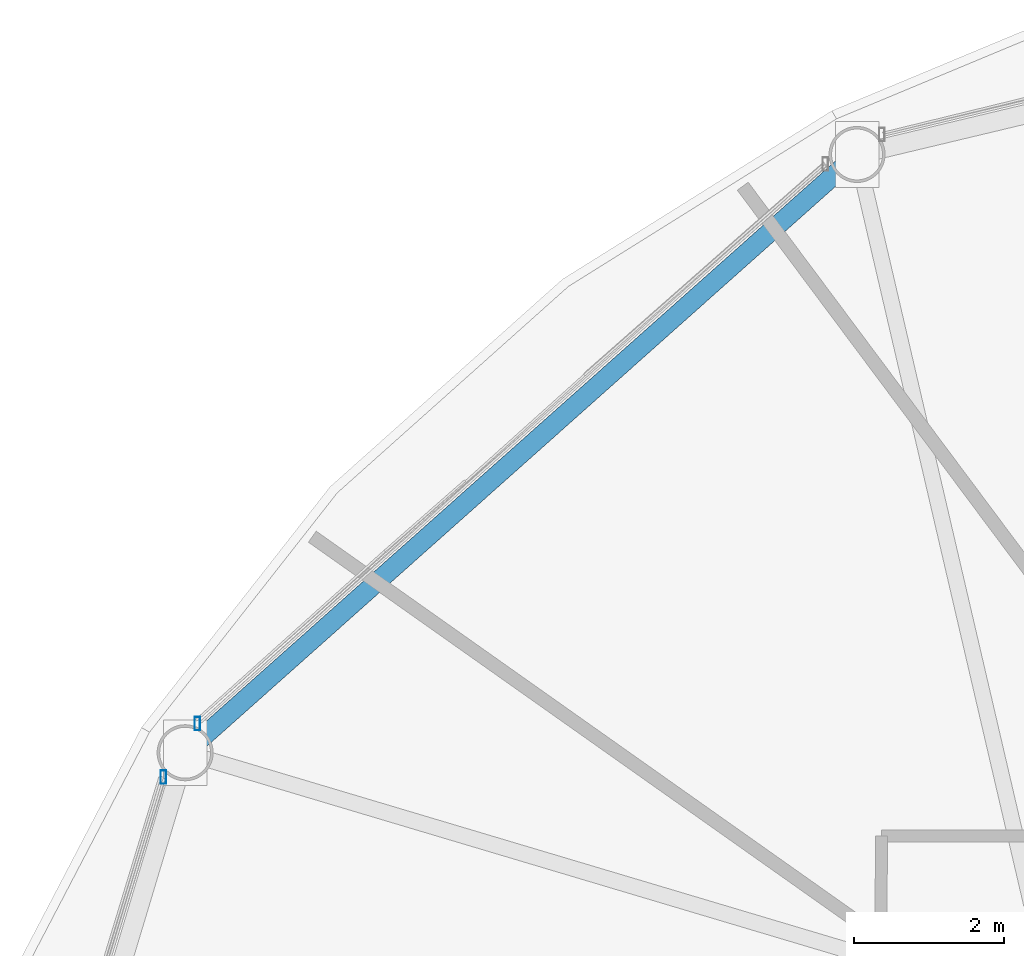
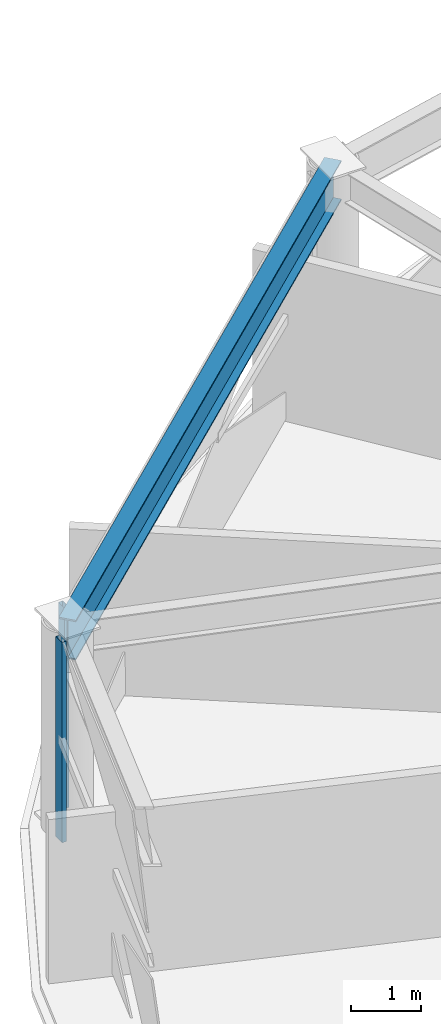
# One storey, part 14 of 29: 2 members, 1 beam, 2 elements without a shape of their own.
"""IFC4 building model written with IfcOpenShell, lengths in metres."""

import ifcopenshell
import ifcopenshell.guid

model = None  # the IFC model being written
_history = None  # IfcOwnerHistory: only IFC2X3 demands one
_inside = {}  # id of a spatial element -> (the spatial element, [elements in it])
_under = {}  # id of a project, library or spatial element -> (it, [spatial elements below it])
_declared = {}  # id of a project -> (the project, [libraries it declares])
_typed = {}  # id of a type object -> (the type object, [elements of that type])
_made_of = {}  # id of a material, layer set ... -> (it, [elements and type objects made of it])


def new_model(schema):
    """Start an empty IFC model of exactly this schema.

    Asked for "IFC4X3", IfcOpenShell would pick the latest addendum, in which some entities
    have other attributes; the version numbers below select the first issue.
    IFC2X3 requires an IfcOwnerHistory on every rooted entity: one is made here for all.
    """
    global model, _history
    if schema == "IFC4X3":
        model = ifcopenshell.file(schema_version=(4, 3, 0, 0))
    else:
        model = ifcopenshell.file(schema=schema)
    _inside.clear()
    _under.clear()
    _declared.clear()
    _typed.clear()
    _made_of.clear()
    _history = None
    if model.schema == "IFC2X3":
        org = make("IfcOrganization", Name="unknown")
        user = make(
            "IfcPersonAndOrganization",
            ThePerson=make("IfcPerson", FamilyName="unknown"),
            TheOrganization=org,
        )
        app = make(
            "IfcApplication",
            ApplicationDeveloper=org,
            Version="unknown",
            ApplicationFullName="unknown",
            ApplicationIdentifier="unknown",
        )
        _history = make(
            "IfcOwnerHistory",
            OwningUser=user,
            OwningApplication=app,
            ChangeAction="ADDED",
            CreationDate=0,
        )
    return model


def make(cls, **values):
    """One entity of the class cls with the attributes given. An attribute that is None is left unset."""
    return model.create_entity(
        cls, **{name: value for name, value in values.items() if value is not None}
    )


def rooted(cls, **values):
    """An entity with a GlobalId (a new one), such as an element, a storey or a relation."""
    return make(cls, GlobalId=ifcopenshell.guid.new(), OwnerHistory=_history, **values)


def si_unit(unit_type, name, prefix=None):
    """IfcSIUnit, for example si_unit("LENGTHUNIT", "METRE", prefix="MILLI")."""
    return make("IfcSIUnit", UnitType=unit_type, Prefix=prefix, Name=name)


def assignment(units):
    """IfcUnitAssignment: the units of a project."""
    return None if units is None else make("IfcUnitAssignment", Units=units)


def point(xyz):
    """IfcCartesianPoint."""
    return None if xyz is None else make("IfcCartesianPoint", Coordinates=xyz)


def direction(xyz):
    """IfcDirection."""
    return None if xyz is None else make("IfcDirection", DirectionRatios=xyz)


def frame(location, z_axis=None, x_axis=None):
    """IfcAxis2Placement3D, a coordinate frame: its origin and axes. An axis left out is left unset."""
    return make(
        "IfcAxis2Placement3D",
        Location=point(location),
        Axis=direction(z_axis),
        RefDirection=direction(x_axis),
    )


def frame_2d(location, x_axis=None):
    """IfcAxis2Placement2D, a coordinate frame in the plane: its origin and x axis."""
    return make(
        "IfcAxis2Placement2D", Location=point(location), RefDirection=direction(x_axis)
    )


def origin():
    """The frame at (0, 0, 0) with its axes left unset."""
    return frame((0.0, 0.0, 0.0))


def origin_2d():
    """The frame at (0, 0) in the plane with its x axis left unset."""
    return frame_2d((0.0, 0.0))


def place(relative_to, where):
    """IfcLocalPlacement: puts the frame where relative to a parent placement (None: the world)."""
    return make(
        "IfcLocalPlacement", PlacementRelTo=relative_to, RelativePlacement=where
    )


def context(
    kind, dimensions, precision=None, world=None, true_north=None, identifier=None
):
    """IfcGeometricRepresentationContext, for example the 3D "Model" context."""
    return make(
        "IfcGeometricRepresentationContext",
        ContextIdentifier=identifier,
        ContextType=kind,
        CoordinateSpaceDimension=dimensions,
        Precision=precision,
        WorldCoordinateSystem=world,
        TrueNorth=true_north,
    )


def subcontext(parent, identifier, kind, view, scale=None):
    """IfcGeometricRepresentationSubContext, for example "Body" below "Model"."""
    return make(
        "IfcGeometricRepresentationSubContext",
        ContextIdentifier=identifier,
        ContextType=kind,
        ParentContext=parent,
        TargetScale=scale,
        TargetView=view,
    )


def project(units=None, contexts=None):
    """IfcProject with its units and contexts."""
    return rooted(
        "IfcProject",
        Name="project",
        RepresentationContexts=contexts,
        UnitsInContext=assignment(units),
    )


def spatial(cls, under=None, at=None, **own):
    """A site, building, storey or space (cls), placed at a placement, below another one or the project."""
    s = rooted(cls, ObjectPlacement=at, **own)
    if under is not None:
        _under.setdefault(under.id(), (under, []))[1].append(s)
    return s


def profile(cls, at=None, kind="AREA", **sizes):
    """A parametric profile (cls). Its sizes go by their IFC names, for example OverallWidth=200.0."""
    return make(cls, ProfileType=kind, Position=at, **sizes)


def hollow_rectangle(**sizes):
    """IfcRectangleHollowProfileDef."""
    return profile("IfcRectangleHollowProfileDef", **sizes)


def i_section(**sizes):
    """IfcIShapeProfileDef."""
    return profile("IfcIShapeProfileDef", **sizes)


def extrude(swept, where, along, depth):
    """IfcExtrudedAreaSolid: the profile swept, set in the frame where, extruded along a direction by depth."""
    return make(
        "IfcExtrudedAreaSolid",
        SweptArea=swept,
        Position=where,
        ExtrudedDirection=direction(along),
        Depth=depth,
    )


def shape(context_of_items, identifier, shape_type, items):
    """IfcShapeRepresentation: the items that make up one representation, for example the "Body"."""
    return make(
        "IfcShapeRepresentation",
        ContextOfItems=context_of_items,
        RepresentationIdentifier=identifier,
        RepresentationType=shape_type,
        Items=items,
    )


def material(Name=None, Category=None):
    """IfcMaterial."""
    return make("IfcMaterial", Name=Name, Category=Category)


def layer(
    of_material, thickness, ventilated=None, Name=None, Category=None, Priority=None
):
    """IfcMaterialLayer: one layer of a wall or slab, of a material (None: an air gap)."""
    return make(
        "IfcMaterialLayer",
        Material=of_material,
        LayerThickness=thickness,
        IsVentilated=ventilated,
        Name=Name,
        Category=Category,
        Priority=Priority,
    )


def layer_set(layers, Name=None):
    """IfcMaterialLayerSet."""
    return make("IfcMaterialLayerSet", MaterialLayers=layers, LayerSetName=Name)


def material_profile(
    of_material, cross_section, Name=None, Category=None, Priority=None
):
    """IfcMaterialProfile: a cross section and its material."""
    return make(
        "IfcMaterialProfile",
        Name=Name,
        Material=of_material,
        Profile=cross_section,
        Priority=Priority,
        Category=Category,
    )


def profile_set(profiles, Name=None, composite=None):
    """IfcMaterialProfileSet."""
    return make(
        "IfcMaterialProfileSet",
        Name=Name,
        MaterialProfiles=profiles,
        CompositeProfile=composite,
    )


def made_of(thing, what):
    """Note that an element or type object is made of a material, layer set ...; save() writes the relation."""
    if what is not None:
        _made_of.setdefault(what.id(), (what, []))[1].append(thing)
    return thing


def type_object(cls, material=None, **own):
    """A type object (cls), such as IfcWallType, which elements share."""
    return made_of(rooted(cls, **own), material)


def element(
    cls,
    number,
    at=None,
    inside=None,
    cuts=None,
    type_object=None,
    material=None,
    context=None,
    identifier="Body",
    shape_type=None,
    held_by="IfcProductDefinitionShape",
    body=None,
    shapes=None,
    **own,
):
    """One element of the class cls, such as IfcWall. Its Tag is "e" and its number.

    at: its placement. inside: the storey or other place that contains it. cuts: it is an
    opening in that element (IfcRelVoidsElement). A single representation is given by context,
    identifier, shape_type and body (its items); several are given by shapes. held_by: the class
    of the entity that holds the representations. save() writes the other relations.
    """
    e = rooted(cls, Tag="e%d" % number, ObjectPlacement=at, **own)
    if body is not None:
        shapes = [shape(context, identifier, shape_type, body)]
    if shapes is not None:
        e.Representation = make(held_by, Representations=shapes)
    if inside is not None:
        _inside.setdefault(inside.id(), (inside, []))[1].append(e)
    if cuts is not None:
        rooted(
            "IfcRelVoidsElement", RelatingBuildingElement=cuts, RelatedOpeningElement=e
        )
    if type_object is not None:
        _typed.setdefault(type_object.id(), (type_object, []))[1].append(e)
    return made_of(e, material)


def aggregate(whole, parts):
    """IfcRelAggregates: a whole, such as a stair, and the parts it consists of."""
    return rooted("IfcRelAggregates", RelatingObject=whole, RelatedObjects=parts)


def save(model, path):
    """Write the relations noted so far, then the file.

    IfcRelAggregates (storeys below a building ...), IfcRelContainedInSpatialStructure (elements
    in a storey), IfcRelDefinesByType, IfcRelAssociatesMaterial and IfcRelDeclares: one each for
    every whole, place, type object, material and project.
    """
    for whole, parts in _under.values():
        aggregate(whole, parts)
    for where, things in _inside.values():
        rooted(
            "IfcRelContainedInSpatialStructure",
            RelatedElements=things,
            RelatingStructure=where,
        )
    for kind, things in _typed.values():
        rooted("IfcRelDefinesByType", RelatedObjects=things, RelatingType=kind)
    for what, things in _made_of.values():
        rooted("IfcRelAssociatesMaterial", RelatedObjects=things, RelatingMaterial=what)
    for by, libraries in _declared.values():
        rooted("IfcRelDeclares", RelatingContext=by, RelatedDefinitions=libraries)
    model.write(path)


model = new_model("IFC4")

# Units and contexts
model_context = context("Model", 3, precision=1e-05, world=origin(), true_north=direction((0.0, 1.0)))
body_context = subcontext(model_context, "Body", "Model", "MODEL_VIEW")
ifc_project = project(units=[si_unit("LENGTHUNIT", "METRE"), si_unit("AREAUNIT", "SQUARE_METRE"), si_unit("VOLUMEUNIT", "CUBIC_METRE"), si_unit("PLANEANGLEUNIT", "RADIAN"), si_unit("MASSUNIT", "GRAM", prefix="KILO")], contexts=[model_context])

# Site, building, storey
site_placement = place(None, origin())
site = spatial("IfcSite", under=ifc_project, at=site_placement, CompositionType="ELEMENT")
building_placement = place(site_placement, origin())
building = spatial("IfcBuilding", under=site, at=building_placement, Name="Vantalir Tower", CompositionType="ELEMENT")
storey_placement = place(building_placement, frame((0.0, 0.0, 168.449951171875)))
storey = spatial("IfcBuildingStorey", under=building, at=storey_placement, Name="L42", CompositionType="ELEMENT", Elevation=168.449951171875)

# Beam
ifc_material_1 = material(Name="Steel S460", Category="steel")
ifc_material_profile_1 = material_profile(ifc_material_1, i_section(OverallWidth=0.256103515625, OverallDepth=0.693115234375, WebThickness=0.014404296875, FlangeThickness=0.023681640625, at=origin_2d()), Name="Steel S460")
ifc_profile_set_1 = profile_set([ifc_material_profile_1], Name="Steel S460")
beam_type = type_object("IfcBeamType", Name="BM-RG-686x254", PredefinedType="USERDEFINED", material=ifc_profile_set_1)
beam_placement = place(storey_placement, frame((19.23193359375, 43.9208984375, 3.22412109375), z_axis=(-0.746841140724, -0.66500248911, 0.0), x_axis=(0.66500248911, -0.746841140724, 0.0)))
element("IfcBeam", 1, at=beam_placement, inside=storey, type_object=beam_type, Name="L42 Circumferential Ring Girder 05", ObjectType="GIRDER", PredefinedType="USERDEFINED", context=body_context, shape_type="SweptSolid", body=[
    extrude(i_section(OverallWidth=0.256103515625, OverallDepth=0.693115234375, WebThickness=0.014404296875, FlangeThickness=0.023681640625, at=origin_2d()), origin(), (0.0, 0.0, 1.0), 12.025146484375),
])

# Curtain wall, member
ifc_material_2 = material(Name="Champagne-silver PVDF aluminium and double-silver Low-E glass", Category="aluminium")
ifc_layer = layer(ifc_material_2, 0.199951171875)
ifc_layer_set = layer_set([ifc_layer], Name="Champagne-silver PVDF aluminium and double-silver Low-E glass")
curtain_wall_type = type_object("IfcCurtainWallType", Name="CW-DIAMOND-Z2", PredefinedType="USERDEFINED", material=ifc_layer_set)
curtain_wall_1_placement = place(storey_placement, origin())
curtain_wall_1 = element("IfcCurtainWall", 2, at=curtain_wall_1_placement, inside=storey, type_object=curtain_wall_type, Name="L42 Quilted Pyramid-Diamond Curtain Wall S05", ObjectType="UNITISED CURTAIN WALL", PredefinedType="USERDEFINED")
ifc_material_3 = material(Name="Champagne-silver PVDF aluminium 6063-T6", Category="aluminium")
ifc_material_profile_2 = material_profile(ifc_material_3, hollow_rectangle(XDim=0.074951171875, YDim=0.179931640625, WallThickness=0.00390625, at=origin_2d()), Name="Champagne-silver PVDF aluminium 6063-T6")
ifc_profile_set_2 = profile_set([ifc_material_profile_2], Name="Champagne-silver PVDF aluminium 6063-T6")
member_type = type_object("IfcMemberType", Name="CWM-180x75", PredefinedType="MULLION", material=ifc_profile_set_2)
member_1_placement = place(storey_placement, frame((10.4150390625, 36.31201171875, 0.045166015625), z_axis=(0.0, 0.0, 1.0), x_axis=(1.0, 0.0, 0.0)))
member_1 = element("IfcMember", 3, at=member_1_placement, type_object=member_type, Name="CW-L42-S05 Mullion 2", PredefinedType="MULLION", context=body_context, shape_type="SweptSolid", body=[
    extrude(hollow_rectangle(XDim=0.074951171875, YDim=0.179931640625, WallThickness=0.00390625, at=origin_2d()), origin(), (0.0, 0.0, 1.0), 3.47998046875),
])
aggregate(curtain_wall_1, [member_1])

curtain_wall_2_placement = place(storey_placement, origin())
curtain_wall_2 = element("IfcCurtainWall", 4, at=curtain_wall_2_placement, inside=storey, type_object=curtain_wall_type, Name="L42 Quilted Pyramid-Diamond Curtain Wall S06", ObjectType="UNITISED CURTAIN WALL", PredefinedType="USERDEFINED")
member_2_placement = place(storey_placement, frame((9.9599609375, 35.597900390625, 0.045166015625), z_axis=(0.0, 0.0, 1.0), x_axis=(1.0, 0.0, 0.0)))
member_2 = element("IfcMember", 5, at=member_2_placement, type_object=member_type, Name="CW-L42-S06 Mullion 1", PredefinedType="MULLION", context=body_context, shape_type="SweptSolid", body=[
    extrude(hollow_rectangle(XDim=0.074951171875, YDim=0.179931640625, WallThickness=0.00390625, at=origin_2d()), origin(), (0.0, 0.0, 1.0), 3.47998046875),
])
aggregate(curtain_wall_2, [member_2])

save(model, "model.ifc")
